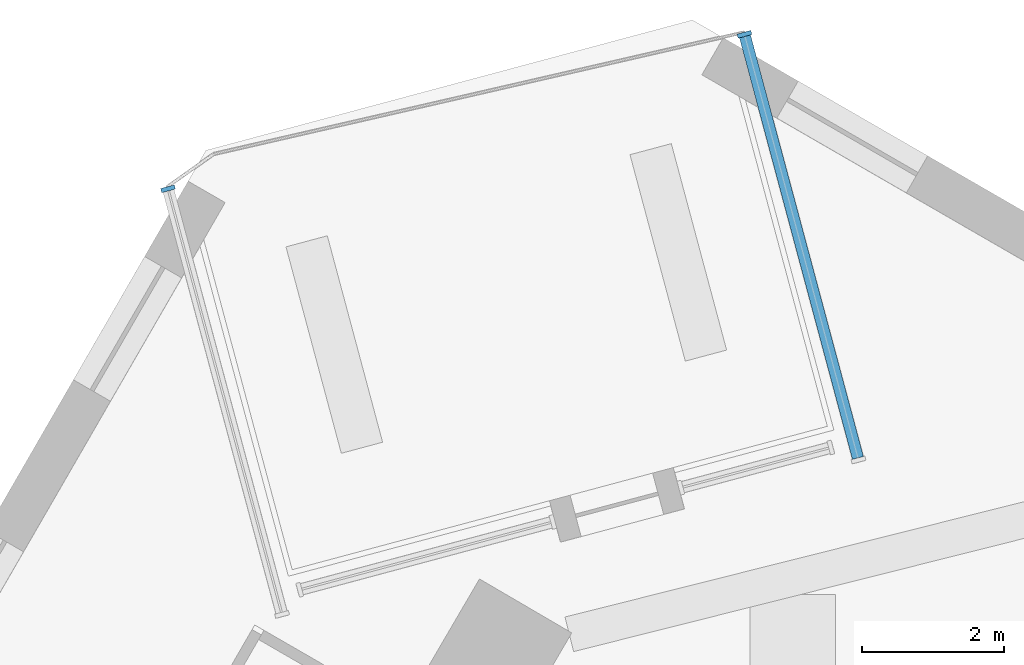
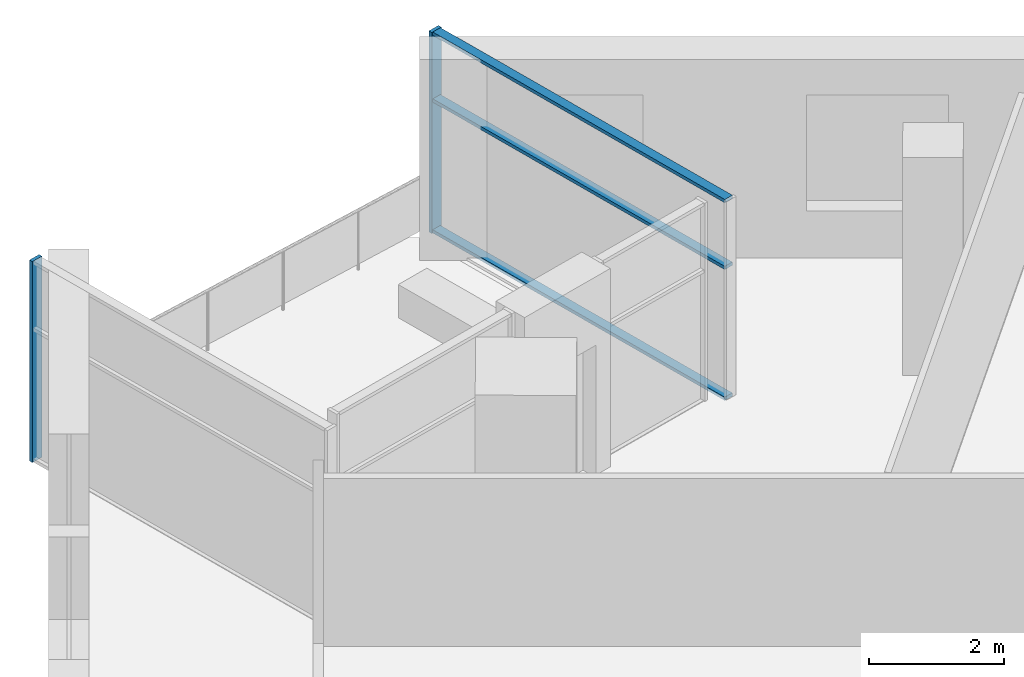
# One storey, part 4 of 13: 5 members, 2 elements without a shape of their own.
"""IFC4 building model written with IfcOpenShell, lengths in metres."""

from ifc_helpers import new_model, si_unit, direction, frame, origin, origin_2d, place, context, subcontext, project, spatial, rectangle, extrude, material, material_profile, profile_set, type_object, element, aggregate, save


model = new_model("IFC4")

# Units and contexts
model_context = context("Model", 3, precision=1e-05, world=origin(), true_north=direction((0.0, 1.0)))
body_context = subcontext(model_context, "Body", "Model", "MODEL_VIEW")
ifc_project = project(units=[si_unit("LENGTHUNIT", "METRE"), si_unit("AREAUNIT", "SQUARE_METRE"), si_unit("VOLUMEUNIT", "CUBIC_METRE"), si_unit("PLANEANGLEUNIT", "RADIAN"), si_unit("MASSUNIT", "GRAM", prefix="KILO")], contexts=[model_context])

# Site, building, storey
site_placement = place(None, origin())
site = spatial("IfcSite", under=ifc_project, at=site_placement, CompositionType="ELEMENT")
building_placement = place(site_placement, origin())
building = spatial("IfcBuilding", under=site, at=building_placement, Name="Dilmun Exchange Tower", CompositionType="ELEMENT")
storey_placement = place(building_placement, frame((0.0, 0.0, 262.89990234375)))
storey = spatial("IfcBuildingStorey", under=building, at=storey_placement, Name="L62", CompositionType="ELEMENT", Elevation=262.89990234375)

# Curtain wall, member
ifc_material_1 = material(Name="Anodised aluminium and clear glass", Category="aluminium")
curtain_wall_type = type_object("IfcCurtainWallType", Name="Garden corner glazing", PredefinedType="NOTDEFINED", material=ifc_material_1)
curtain_wall_1_placement = place(storey_placement, origin())
curtain_wall_1 = element("IfcCurtainWall", 1, at=curtain_wall_1_placement, inside=storey, type_object=curtain_wall_type, Name="Garden corner glazing run GC1.1", PredefinedType="NOTDEFINED")
ifc_material_2 = material(Name="Anodised aluminium", Category="aluminium")
ifc_material_profile_1 = material_profile(ifc_material_2, rectangle(XDim=0.199951171875, YDim=0.06005859375, at=origin_2d()), Name="AL 60x200")
ifc_profile_set_1 = profile_set([ifc_material_profile_1], Name="Anodised aluminium")
member_type_1 = type_object("IfcMemberType", Name="Garden corner glazing mullion 60 x 200", PredefinedType="MULLION", material=ifc_profile_set_1)
member_1_placement = place(storey_placement, frame((-0.464111328125, 35.12939453125, 0.0), z_axis=(0.0, 0.0, 1.0), x_axis=(0.965925756145, 0.258819306883, 0.0)))
member_1 = element("IfcMember", 2, at=member_1_placement, type_object=member_type_1, Name="GC1.1 mullion 1", PredefinedType="MULLION", context=body_context, shape_type="SweptSolid", body=[
    extrude(rectangle(XDim=0.199951171875, YDim=0.06005859375, at=origin_2d()), origin(), (0.0, 0.0, 1.0), 3.64013671875),
])

curtain_wall_2_placement = place(storey_placement, origin())
curtain_wall_2 = element("IfcCurtainWall", 3, at=curtain_wall_2_placement, inside=storey, type_object=curtain_wall_type, Name="Garden corner glazing run GC3.1", PredefinedType="NOTDEFINED")
member_2_placement = place(storey_placement, frame((-8.556884765625, 32.9609375, 0.0), z_axis=(0.0, 0.0, 1.0), x_axis=(-0.965925756145, -0.258819306883, 0.0)))
member_2 = element("IfcMember", 4, at=member_2_placement, type_object=member_type_1, Name="GC3.1 mullion 2", PredefinedType="MULLION", context=body_context, shape_type="SweptSolid", body=[
    extrude(rectangle(XDim=0.199951171875, YDim=0.06005859375, at=origin_2d()), origin(), (0.0, 0.0, 1.0), 3.64013671875),
])
aggregate(curtain_wall_2, [member_2])

# Member
ifc_material_profile_2 = material_profile(ifc_material_2, rectangle(XDim=0.159912109375, YDim=0.06005859375, at=origin_2d()), Name="AL 60x160")
ifc_profile_set_2 = profile_set([ifc_material_profile_2], Name="Anodised aluminium")
member_type_2 = type_object("IfcMemberType", Name="Garden corner glazing transom 60 x 160", PredefinedType="USERDEFINED", material=ifc_profile_set_2)
member_3_placement = place(storey_placement, frame((-0.456298828125, 35.100341796875, 0.030029296875), z_axis=(0.258798500814, -0.96593133088, 0.0), x_axis=(0.96593133088, 0.258798500814, 0.0)))
member_3 = element("IfcMember", 5, at=member_3_placement, type_object=member_type_2, Name="GC1.1 transom 1.1", ObjectType="TRANSOM", PredefinedType="USERDEFINED", context=body_context, shape_type="SweptSolid", body=[
    extrude(rectangle(XDim=0.159912109375, YDim=0.06005859375, at=origin_2d()), origin(), (0.0, 0.0, 1.0), 6.126220703125),
])

member_4_placement = place(storey_placement, frame((-0.456298828125, 35.100341796875, 2.400146484375), z_axis=(0.258798500814, -0.96593133088, 0.0), x_axis=(0.96593133088, 0.258798500814, 0.0)))
member_4 = element("IfcMember", 6, at=member_4_placement, type_object=member_type_2, Name="GC1.1 transom 1.2", ObjectType="TRANSOM", PredefinedType="USERDEFINED", context=body_context, shape_type="SweptSolid", body=[
    extrude(rectangle(XDim=0.159912109375, YDim=0.06005859375, at=origin_2d()), origin(), (0.0, 0.0, 1.0), 6.126220703125),
])

member_5_placement = place(storey_placement, frame((-0.456298828125, 35.100341796875, 3.610107421875), z_axis=(0.258798500814, -0.96593133088, 0.0), x_axis=(0.96593133088, 0.258798500814, 0.0)))
member_5 = element("IfcMember", 7, at=member_5_placement, type_object=member_type_2, Name="GC1.1 transom 1.3", ObjectType="TRANSOM", PredefinedType="USERDEFINED", context=body_context, shape_type="SweptSolid", body=[
    extrude(rectangle(XDim=0.159912109375, YDim=0.06005859375, at=origin_2d()), origin(), (0.0, 0.0, 1.0), 6.126220703125),
])

aggregate(curtain_wall_1, [member_1, member_3, member_4, member_5])

save(model, "model.ifc")
